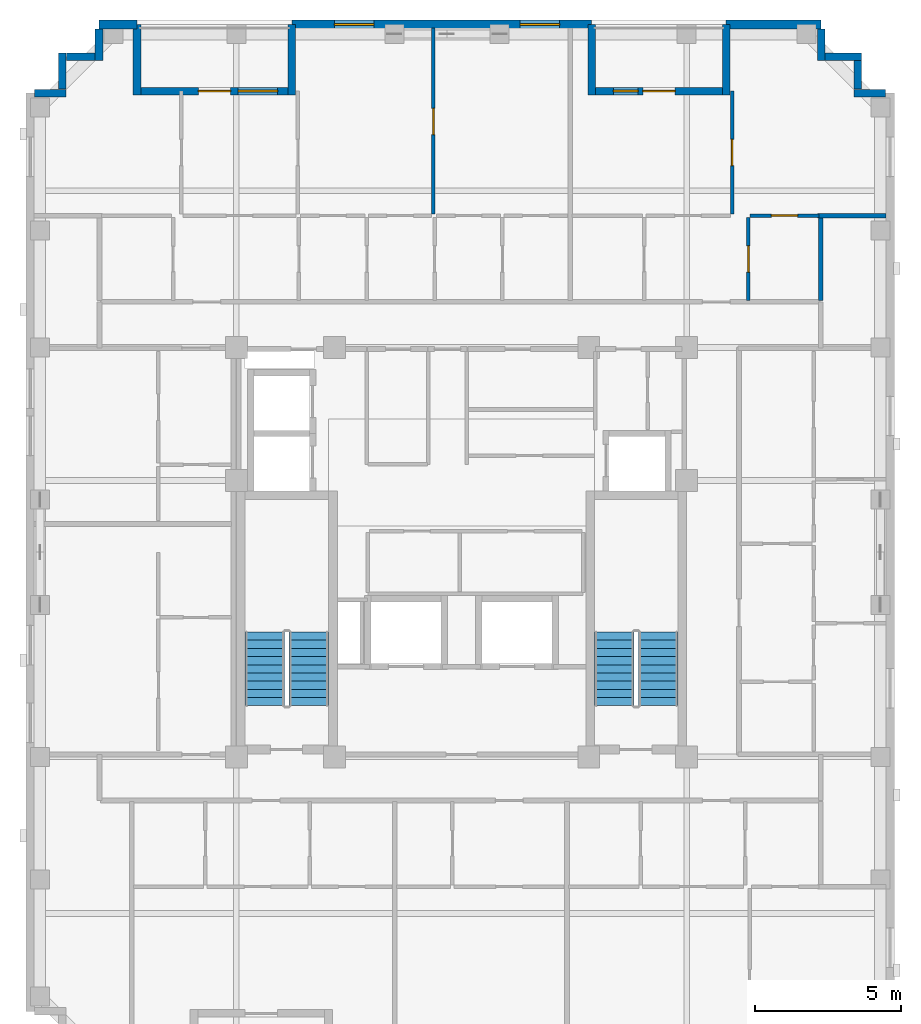
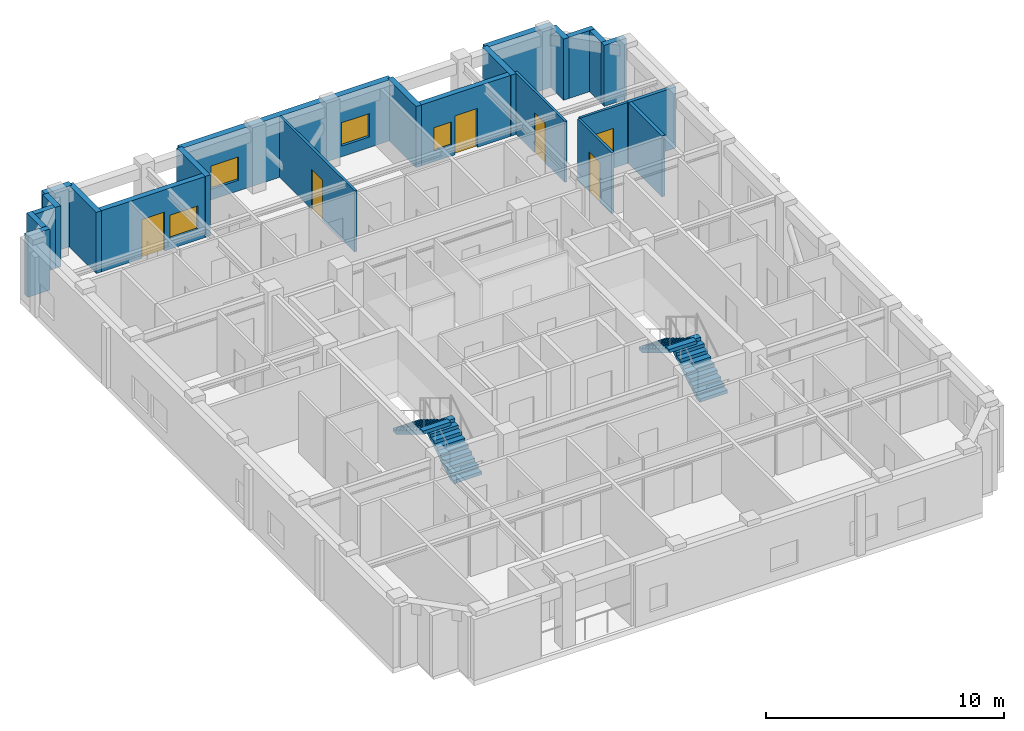
# One storey, part 7 of 11: 23 walls, 6 doors, 4 stair flights, 4 windows, 10 openings, 2 elements without a shape of their own.
"""IFC4 building model written with IfcOpenShell, lengths in metres."""

from ifc_helpers import new_model, si_unit, derived_unit, direction, frame, frame_2d, origin, place, context, subcontext, project, spatial, polyline, rectangle, outline, extrude, material, layer, layer_set, type_object, element, fill, aggregate, save


model = new_model("IFC4")

# Units and contexts
model_context = context("Model", 3, precision=1e-05, world=origin(), true_north=direction((0.0, 1.0)))
body_context = subcontext(model_context, "Body", "Model", "MODEL_VIEW")
ifc_project = project(units=[si_unit("LENGTHUNIT", "METRE"), si_unit("AREAUNIT", "SQUARE_METRE"), si_unit("VOLUMEUNIT", "CUBIC_METRE"), si_unit("PLANEANGLEUNIT", "RADIAN"), si_unit("MASSUNIT", "GRAM", prefix="KILO"), derived_unit("THERMALTRANSMITTANCEUNIT", [(si_unit("MASSUNIT", "GRAM", prefix="KILO"), 1), (si_unit("TIMEUNIT", "SECOND"), -3), (si_unit("THERMODYNAMICTEMPERATUREUNIT", "KELVIN"), -1)])], contexts=[model_context])

# Site, building, storey
site_placement = place(None, origin())
site = spatial("IfcSite", under=ifc_project, at=site_placement, CompositionType="ELEMENT")
building_placement = place(site_placement, origin())
building = spatial("IfcBuilding", under=site, at=building_placement, Name="Korrvale Station Residences", CompositionType="ELEMENT")
storey_placement = place(building_placement, frame((0.0, 0.0, 251.300048828125)))
storey = spatial("IfcBuildingStorey", under=building, at=storey_placement, Name="L73", CompositionType="ELEMENT", Elevation=251.300048828125)

# Wall
ifc_material_1 = material(Name="Precast concrete C45/55", Category="concrete")
ifc_layer_1 = layer(ifc_material_1, 0.260009765625, Name="Precast concrete C45/55")
ifc_layer_set_1 = layer_set([ifc_layer_1], Name="Precast concrete C45/55")
wall_type_1 = type_object("IfcWallType", Name="WAL-EXT-LOG260", PredefinedType="SOLIDWALL", material=ifc_layer_set_1)
wall_1_placement = place(storey_placement, frame((14.39990234375, 40.0400390625, 0.0), z_axis=(0.0, 0.0, 1.0), x_axis=(0.0, -1.0, 0.0)))
element("IfcWall", 1, at=wall_1_placement, inside=storey, type_object=wall_type_1, Name="L73 Recessed Loggia Wall BAL-L73-N2-L", PredefinedType="SOLIDWALL", context=body_context, shape_type="SweptSolid", body=[
    extrude(rectangle(XDim=2.400146484375, YDim=0.260009765625, at=frame_2d((1.2001953125, 0.0))), origin(), (0.0, 0.0, 1.0), 3.139892578125),
])

# Wall, openings, door, window
wall_2_placement = place(storey_placement, frame((14.533935546875, 37.77001953125, 0.0), z_axis=(0.0, 0.0, 1.0), x_axis=(1.0, 0.0, 0.0)))
wall_2 = element("IfcWall", 2, at=wall_2_placement, inside=storey, type_object=wall_type_1, Name="L73 Recessed Loggia Wall BAL-L73-N2-B", PredefinedType="SOLIDWALL", context=body_context, shape_type="SweptSolid", body=[
    extrude(rectangle(XDim=5.031982421875, YDim=0.260009765625, at=frame_2d((2.51611328125, 0.0))), origin(), (0.0, 0.0, 1.0), 3.139892578125),
])
opening_1_placement = place(wall_2_placement, frame((1.966064453125, 0.0, 0.0)))
opening_1 = element("IfcOpeningElement", 3, at=opening_1_placement, cuts=wall_2, Name="Opening BD-01", PredefinedType="OPENING", context=body_context, shape_type="SweptSolid", body=[
    extrude(rectangle(XDim=1.10009765625, YDim=2.0, at=frame_2d((0.550048828125, 1.0))), frame((0.0, 0.14013671875, 0.0), z_axis=(0.0, -1.0, 0.0), x_axis=(1.0, 0.0, 0.0)), (0.0, 0.0, 1.0), 0.280029296875),
])
opening_2_placement = place(wall_2_placement, frame((3.325927734375, 0.0, 0.550048828125)))
opening_2 = element("IfcOpeningElement", 4, at=opening_2_placement, cuts=wall_2, Name="Opening W-10", PredefinedType="OPENING", context=body_context, shape_type="SweptSolid", body=[
    extrude(rectangle(XDim=1.35009765625, YDim=1.199951171875, at=frame_2d((0.675048828125, 0.60009765625))), frame((0.0, 0.14013671875, 0.0), z_axis=(0.0, -1.0, 0.0), x_axis=(1.0, 0.0, 0.0)), (0.0, 0.0, 1.0), 0.280029296875),
])
ifc_material_2 = material(Name="Exterior thermally broken aluminium glazed balcony door", Category="aluminium")
door_type_1 = type_object("IfcDoorType", Name="DR-EXT-BAL", OperationType="NOTDEFINED", PredefinedType="DOOR", material=ifc_material_2)
door_1_placement = place(opening_1_placement, origin())
door_1 = element("IfcDoor", 5, at=door_1_placement, inside=storey, type_object=door_type_1, Name="L73 Loggia Balcony Door BAL-L73-N2", OperationType="SINGLE_SWING_RIGHT", OverallHeight=2.0, OverallWidth=1.10009765625, PredefinedType="DOOR", context=body_context, shape_type="SweptSolid", body=[
    extrude(rectangle(XDim=1.10009765625, YDim=2.0, at=frame_2d((0.550048828125, 1.0))), frame((0.0, 0.02490234375, 0.0), z_axis=(0.0, -1.0, 0.0), x_axis=(1.0, 0.0, 0.0)), (0.0, 0.0, 1.0), 0.050048828125),
])
fill(opening_1, door_1)
ifc_material_3 = material(Name="Thermally broken aluminium frame with triple low-e glazing", Category="aluminium")
window_type_1 = type_object("IfcWindowType", Name="WIN-W10", PartitioningType="SINGLE_PANEL", PredefinedType="WINDOW", material=ifc_material_3)
window_1_placement = place(opening_2_placement, origin())
window_1 = element("IfcWindow", 6, at=window_1_placement, inside=storey, type_object=window_type_1, Name="L73 Punched Window 07", OverallHeight=1.199951171875, OverallWidth=1.35009765625, PartitioningType="SINGLE_PANEL", PredefinedType="WINDOW", context=body_context, shape_type="SweptSolid", body=[
    extrude(rectangle(XDim=1.35009765625, YDim=1.199951171875, at=frame_2d((0.675048828125, 0.60009765625))), frame((0.0, 0.030029296875, 0.0), z_axis=(0.0, -1.0, 0.0), x_axis=(1.0, 0.0, 0.0)), (0.0, 0.0, 1.0), 0.06005859375),
])
fill(opening_2, window_1)

# Walls
for number, where, z_axis, x_axis, name in (
    (7, (19.699951171875, 37.639892578125, 0.0), (0.0, 0.0, 1.0), (0.0, 1.0, 0.0), "L73 Recessed Loggia Wall BAL-L73-N2-R"),
    (8, (29.949951171875, 40.0400390625, 0.0), (0.0, 0.0, 1.0), (0.0, -1.0, 0.0), "L73 Recessed Loggia Wall BAL-L73-N1-L"),
):
    element("IfcWall", number, at=place(storey_placement, frame(where, z_axis=z_axis, x_axis=x_axis)), inside=storey, type_object=wall_type_1, Name=name, PredefinedType="SOLIDWALL", context=body_context, shape_type="SweptSolid", body=[
        extrude(rectangle(XDim=2.400146484375, YDim=0.260009765625, at=frame_2d((1.2001953125, 0.0))), origin(), (0.0, 0.0, 1.0), 3.139892578125),
    ])

# Wall, openings, door, window
wall_3_placement = place(storey_placement, frame((30.083984375, 37.77001953125, 0.0), z_axis=(0.0, 0.0, 1.0), x_axis=(1.0, 0.0, 0.0)))
wall_3 = element("IfcWall", 9, at=wall_3_placement, inside=storey, type_object=wall_type_1, Name="L73 Recessed Loggia Wall BAL-L73-N1-B", PredefinedType="SOLIDWALL", context=body_context, shape_type="SweptSolid", body=[
    extrude(rectangle(XDim=4.33203125, YDim=0.260009765625, at=frame_2d((2.166015625, 0.0))), origin(), (0.0, 0.0, 1.0), 3.139892578125),
])
opening_3_placement = place(wall_3_placement, frame((1.615966796875, 0.0, 0.0)))
opening_3 = element("IfcOpeningElement", 10, at=opening_3_placement, cuts=wall_3, Name="Opening BD-01", PredefinedType="OPENING", context=body_context, shape_type="SweptSolid", body=[
    extrude(rectangle(XDim=1.10009765625, YDim=2.0, at=frame_2d((0.550048828125, 1.0))), frame((0.0, 0.14013671875, 0.0), z_axis=(0.0, -1.0, 0.0), x_axis=(1.0, 0.0, 0.0)), (0.0, 0.0, 1.0), 0.280029296875),
])
opening_4_placement = place(wall_3_placement, frame((0.60595703125, 0.0, 0.550048828125)))
opening_4 = element("IfcOpeningElement", 11, at=opening_4_placement, cuts=wall_3, Name="Opening W-11", PredefinedType="OPENING", context=body_context, shape_type="SweptSolid", body=[
    extrude(rectangle(XDim=0.85009765625, YDim=1.199951171875, at=frame_2d((0.425048828125, 0.60009765625))), frame((0.0, 0.14013671875, 0.0), z_axis=(0.0, -1.0, 0.0), x_axis=(1.0, 0.0, 0.0)), (0.0, 0.0, 1.0), 0.280029296875),
])
door_2_placement = place(opening_3_placement, origin())
door_2 = element("IfcDoor", 12, at=door_2_placement, inside=storey, type_object=door_type_1, Name="L73 Loggia Balcony Door BAL-L73-N1", OperationType="SINGLE_SWING_LEFT", OverallHeight=2.0, OverallWidth=1.10009765625, PredefinedType="DOOR", context=body_context, shape_type="SweptSolid", body=[
    extrude(rectangle(XDim=1.10009765625, YDim=2.0, at=frame_2d((0.550048828125, 1.0))), frame((0.0, 0.02490234375, 0.0), z_axis=(0.0, -1.0, 0.0), x_axis=(1.0, 0.0, 0.0)), (0.0, 0.0, 1.0), 0.050048828125),
])
fill(opening_3, door_2)
window_type_2 = type_object("IfcWindowType", Name="WIN-W11", PartitioningType="SINGLE_PANEL", PredefinedType="WINDOW", material=ifc_material_3)
window_2_placement = place(opening_4_placement, origin())
window_2 = element("IfcWindow", 13, at=window_2_placement, inside=storey, type_object=window_type_2, Name="L73 Punched Window 10", OverallHeight=1.199951171875, OverallWidth=0.85009765625, PartitioningType="SINGLE_PANEL", PredefinedType="WINDOW", context=body_context, shape_type="SweptSolid", body=[
    extrude(rectangle(XDim=0.85009765625, YDim=1.199951171875, at=frame_2d((0.425048828125, 0.60009765625))), frame((0.0, 0.030029296875, 0.0), z_axis=(0.0, -1.0, 0.0), x_axis=(1.0, 0.0, 0.0)), (0.0, 0.0, 1.0), 0.06005859375),
])
fill(opening_4, window_2)

# Walls
wall_4_placement = place(storey_placement, frame((34.550048828125, 37.639892578125, 0.0), z_axis=(0.0, 0.0, 1.0), x_axis=(0.0, 1.0, 0.0)))
element("IfcWall", 14, at=wall_4_placement, inside=storey, type_object=wall_type_1, Name="L73 Recessed Loggia Wall BAL-L73-N1-R", PredefinedType="SOLIDWALL", context=body_context, shape_type="SweptSolid", body=[
    extrude(rectangle(XDim=2.400146484375, YDim=0.260009765625, at=frame_2d((1.2001953125, 0.0))), origin(), (0.0, 0.0, 1.0), 3.139892578125),
])
wall_5_placement = place(storey_placement, frame((10.902099609375, 37.699951171875, 0.0), z_axis=(0.0, 0.0, 1.0), x_axis=(1.0, 0.0, 0.0)))
element("IfcWall", 15, at=wall_5_placement, inside=storey, type_object=wall_type_1, Name="L73 Serrated Corner Precast Step NW-1", PredefinedType="SOLIDWALL", context=body_context, shape_type="SweptSolid", body=[
    extrude(rectangle(XDim=1.077880859375, YDim=0.260009765625, at=frame_2d((0.5390625, 0.0))), origin(), (0.0, 0.0, 1.0), 3.139892578125),
])
wall_6_placement = place(storey_placement, frame((11.85009765625, 37.83203125, 0.0), z_axis=(0.0, 0.0, 1.0), x_axis=(0.0, 1.0, 0.0)))
element("IfcWall", 16, at=wall_6_placement, inside=storey, type_object=wall_type_1, Name="L73 Serrated Corner Precast Step NW-2", PredefinedType="SOLIDWALL", context=body_context, shape_type="SweptSolid", body=[
    extrude(rectangle(XDim=1.248046875, YDim=0.260009765625, at=frame_2d((0.6240234375, 0.0))), origin(), (0.0, 0.0, 1.0), 3.139892578125),
])
wall_7_placement = place(storey_placement, frame((11.98193359375, 38.949951171875, 0.0), z_axis=(0.0, 0.0, 1.0), x_axis=(1.0, 0.0, 0.0)))
element("IfcWall", 17, at=wall_7_placement, inside=storey, type_object=wall_type_1, Name="L73 Serrated Corner Precast Step NW-3", PredefinedType="SOLIDWALL", context=body_context, shape_type="SweptSolid", body=[
    extrude(rectangle(XDim=0.986083984375, YDim=0.260009765625, at=frame_2d((0.4931640625, 0.0))), origin(), (0.0, 0.0, 1.0), 3.139892578125),
])
for number, where, z_axis, x_axis, name in (
    (18, (13.10009765625, 38.820068359375, 0.0), (0.0, 0.0, 1.0), (0.0, 1.0, 0.0), "L73 Serrated Corner Precast Step NW-4"),
    (19, (37.800048828125, 39.89794921875, 0.0), (0.0, 0.0, 1.0), (0.0, -1.0, 0.0), "L73 Serrated Corner Precast Step NE-1"),
):
    element("IfcWall", number, at=place(storey_placement, frame(where, z_axis=z_axis, x_axis=x_axis)), inside=storey, type_object=wall_type_1, Name=name, PredefinedType="SOLIDWALL", context=body_context, shape_type="SweptSolid", body=[
        extrude(rectangle(XDim=1.077880859375, YDim=0.260009765625, at=frame_2d((0.5390625, 0.0))), origin(), (0.0, 0.0, 1.0), 3.139892578125),
    ])
wall_8_placement = place(storey_placement, frame((37.931884765625, 38.949951171875, 0.0), z_axis=(0.0, 0.0, 1.0), x_axis=(1.0, 0.0, 0.0)))
element("IfcWall", 20, at=wall_8_placement, inside=storey, type_object=wall_type_1, Name="L73 Serrated Corner Precast Step NE-2", PredefinedType="SOLIDWALL", context=body_context, shape_type="SweptSolid", body=[
    extrude(rectangle(XDim=1.248046875, YDim=0.260009765625, at=frame_2d((0.6240234375, 0.0))), origin(), (0.0, 0.0, 1.0), 3.139892578125),
])
wall_9_placement = place(storey_placement, frame((39.050048828125, 38.818115234375, 0.0), z_axis=(0.0, 0.0, 1.0), x_axis=(0.0, -1.0, 0.0)))
element("IfcWall", 21, at=wall_9_placement, inside=storey, type_object=wall_type_1, Name="L73 Serrated Corner Precast Step NE-3", PredefinedType="SOLIDWALL", context=body_context, shape_type="SweptSolid", body=[
    extrude(rectangle(XDim=0.986083984375, YDim=0.260009765625, at=frame_2d((0.4931640625, 0.0))), origin(), (0.0, 0.0, 1.0), 3.139892578125),
])
wall_10_placement = place(storey_placement, frame((38.919921875, 37.699951171875, 0.0), z_axis=(0.0, 0.0, 1.0), x_axis=(1.0, 0.0, 0.0)))
element("IfcWall", 22, at=wall_10_placement, inside=storey, type_object=wall_type_1, Name="L73 Serrated Corner Precast Step NE-4", PredefinedType="SOLIDWALL", context=body_context, shape_type="SweptSolid", body=[
    extrude(rectangle(XDim=1.078125, YDim=0.260009765625, at=frame_2d((0.5390625, 0.0))), origin(), (0.0, 0.0, 1.0), 3.139892578125),
])
ifc_layer_2 = layer(ifc_material_1, 0.300048828125, Name="Precast concrete C45/55")
ifc_layer_set_2 = layer_set([ifc_layer_2], Name="Precast concrete C45/55")
wall_type_2 = type_object("IfcWallType", Name="WAL-EXT-PC300", PredefinedType="SOLIDWALL", material=ifc_layer_set_2)
wall_11_placement = place(storey_placement, frame((13.10009765625, 40.050048828125, 0.0), z_axis=(0.0, 0.0, 1.0), x_axis=(1.0, 0.0, 0.0)))
element("IfcWall", 23, at=wall_11_placement, inside=storey, type_object=wall_type_2, Name="L73 North Exterior Precast Wall 1", PredefinedType="SOLIDWALL", context=body_context, shape_type="SweptSolid", body=[
    extrude(rectangle(XDim=1.2998046875, YDim=0.300048828125, at=frame_2d((0.64990234375, 0.0))), origin(), (0.0, 0.0, 1.0), 3.139892578125),
])

# Wall, openings, windows
wall_12_placement = place(storey_placement, frame((19.699951171875, 40.050048828125, 0.0), z_axis=(0.0, 0.0, 1.0), x_axis=(1.0, 0.0, 0.0)))
wall_12 = element("IfcWall", 24, at=wall_12_placement, inside=storey, type_object=wall_type_2, Name="L73 North Exterior Precast Wall 2", PredefinedType="SOLIDWALL", context=body_context, shape_type="SweptSolid", body=[
    extrude(rectangle(XDim=10.25, YDim=0.300048828125, at=frame_2d((5.125, 0.0))), origin(), (0.0, 0.0, 1.0), 3.139892578125),
])
opening_5_placement = place(wall_12_placement, frame((1.449951171875, 0.0, 0.550048828125)))
opening_5 = element("IfcOpeningElement", 25, at=opening_5_placement, cuts=wall_12, Name="Opening W-10", PredefinedType="OPENING", context=body_context, shape_type="SweptSolid", body=[
    extrude(rectangle(XDim=1.35009765625, YDim=1.199951171875, at=frame_2d((0.675048828125, 0.60009765625))), frame((0.0, 0.16015625, 0.0), z_axis=(0.0, -1.0, 0.0), x_axis=(1.0, 0.0, 0.0)), (0.0, 0.0, 1.0), 0.320068359375),
])
opening_6_placement = place(wall_12_placement, frame((7.800048828125, 0.0, 0.550048828125)))
opening_6 = element("IfcOpeningElement", 26, at=opening_6_placement, cuts=wall_12, Name="Opening W-10", PredefinedType="OPENING", context=body_context, shape_type="SweptSolid", body=[
    extrude(rectangle(XDim=1.35009765625, YDim=1.199951171875, at=frame_2d((0.675048828125, 0.60009765625))), frame((0.0, 0.16015625, 0.0), z_axis=(0.0, -1.0, 0.0), x_axis=(1.0, 0.0, 0.0)), (0.0, 0.0, 1.0), 0.320068359375),
])
window_3_placement = place(opening_5_placement, origin())
window_3 = element("IfcWindow", 27, at=window_3_placement, inside=storey, type_object=window_type_1, Name="L73 Punched Window 08", OverallHeight=1.199951171875, OverallWidth=1.35009765625, PartitioningType="SINGLE_PANEL", PredefinedType="WINDOW", context=body_context, shape_type="SweptSolid", body=[
    extrude(rectangle(XDim=1.35009765625, YDim=1.199951171875, at=frame_2d((0.675048828125, 0.60009765625))), frame((0.0, 0.030029296875, 0.0), z_axis=(0.0, -1.0, 0.0), x_axis=(1.0, 0.0, 0.0)), (0.0, 0.0, 1.0), 0.06005859375),
])
fill(opening_5, window_3)
window_4_placement = place(opening_6_placement, origin())
window_4 = element("IfcWindow", 28, at=window_4_placement, inside=storey, type_object=window_type_1, Name="L73 Punched Window 09", OverallHeight=1.199951171875, OverallWidth=1.35009765625, PartitioningType="SINGLE_PANEL", PredefinedType="WINDOW", context=body_context, shape_type="SweptSolid", body=[
    extrude(rectangle(XDim=1.35009765625, YDim=1.199951171875, at=frame_2d((0.675048828125, 0.60009765625))), frame((0.0, 0.030029296875, 0.0), z_axis=(0.0, -1.0, 0.0), x_axis=(1.0, 0.0, 0.0)), (0.0, 0.0, 1.0), 0.06005859375),
])
fill(opening_6, window_4)

# Wall
wall_13_placement = place(storey_placement, frame((34.550048828125, 40.050048828125, 0.0), z_axis=(0.0, 0.0, 1.0), x_axis=(1.0, 0.0, 0.0)))
element("IfcWall", 29, at=wall_13_placement, inside=storey, type_object=wall_type_2, Name="L73 North Exterior Precast Wall 3", PredefinedType="SOLIDWALL", context=body_context, shape_type="SweptSolid", body=[
    extrude(rectangle(XDim=3.25, YDim=0.300048828125, at=frame_2d((1.625, 0.0))), origin(), (0.0, 0.0, 1.0), 3.139892578125),
])

# Wall, opening, door
ifc_material_4 = material(Name="Acoustic steel-stud gypsum board partition", Category="steel")
ifc_layer_3 = layer(ifc_material_4, 0.1201171875, Name="Acoustic steel-stud gypsum board partition")
ifc_layer_set_3 = layer_set([ifc_layer_3], Name="Acoustic steel-stud gypsum board partition")
wall_type_3 = type_object("IfcWallType", Name="WAL-PART-125", PredefinedType="PARTITIONING", material=ifc_layer_set_3)
wall_14_placement = place(storey_placement, frame((24.5400390625, 33.570068359375, 0.0), z_axis=(0.0, 0.0, 1.0), x_axis=(0.0, 1.0, 0.0)))
wall_14 = element("IfcWall", 30, at=wall_14_placement, inside=storey, type_object=wall_type_3, Name="L73 Suite Partition U04-V89", PredefinedType="PARTITIONING", context=body_context, shape_type="SweptSolid", body=[
    extrude(rectangle(XDim=6.349853515625, YDim=0.1201171875, at=frame_2d((3.1748046875, 0.0))), origin(), (0.0, 0.0, 1.0), 3.139892578125),
])
opening_7_placement = place(wall_14_placement, frame((2.7099609375, 0.0, 0.0)))
opening_7 = element("IfcOpeningElement", 31, at=opening_7_placement, cuts=wall_14, Name="Opening DI-900", PredefinedType="OPENING", context=body_context, shape_type="SweptSolid", body=[
    extrude(rectangle(XDim=0.89990234375, YDim=2.050048828125, at=frame_2d((0.449951171875, 1.02490234375))), frame((0.0, 0.070068359375, 0.0), z_axis=(0.0, -1.0, 0.0), x_axis=(1.0, 0.0, 0.0)), (0.0, 0.0, 1.0), 0.14013671875),
])
ifc_material_5 = material(Name="Painted solid-core timber interior room door", Category="wood")
door_type_2 = type_object("IfcDoorType", Name="DR-INT-900", OperationType="NOTDEFINED", PredefinedType="DOOR", material=ifc_material_5)
door_3_placement = place(opening_7_placement, origin())
door_3 = element("IfcDoor", 32, at=door_3_placement, inside=storey, type_object=door_type_2, Name="L73 Apartment 2BR L73-U04 Bedroom 1 Door", OperationType="SINGLE_SWING_RIGHT", OverallHeight=2.050048828125, OverallWidth=0.89990234375, PredefinedType="DOOR", context=body_context, shape_type="SweptSolid", body=[
    extrude(rectangle(XDim=0.89990234375, YDim=2.050048828125, at=frame_2d((0.449951171875, 1.02490234375))), frame((0.0, 0.02490234375, 0.0), z_axis=(0.0, -1.0, 0.0), x_axis=(1.0, 0.0, 0.0)), (0.0, 0.0, 1.0), 0.050048828125),
])
fill(opening_7, door_3)

wall_15_placement = place(storey_placement, frame((35.31005859375, 30.60009765625, 0.0), z_axis=(0.0, 0.0, 1.0), x_axis=(0.0, 1.0, 0.0)))
wall_15 = element("IfcWall", 33, at=wall_15_placement, inside=storey, type_object=wall_type_3, Name="L73 Suite Partition U05-V12", PredefinedType="PARTITIONING", context=body_context, shape_type="SweptSolid", body=[
    extrude(rectangle(XDim=2.849853515625, YDim=0.1201171875, at=frame_2d((1.4248046875, 0.0))), origin(), (0.0, 0.0, 1.0), 3.139892578125),
])
opening_8_placement = place(wall_15_placement, frame((0.97509765625, 0.0, 0.0)))
opening_8 = element("IfcOpeningElement", 34, at=opening_8_placement, cuts=wall_15, Name="Opening DI-900", PredefinedType="OPENING", context=body_context, shape_type="SweptSolid", body=[
    extrude(rectangle(XDim=0.89990234375, YDim=2.050048828125, at=frame_2d((0.449951171875, 1.02490234375))), frame((0.0, 0.070068359375, 0.0), z_axis=(0.0, -1.0, 0.0), x_axis=(1.0, 0.0, 0.0)), (0.0, 0.0, 1.0), 0.14013671875),
])
door_4_placement = place(opening_8_placement, origin())
door_4 = element("IfcDoor", 35, at=door_4_placement, inside=storey, type_object=door_type_2, Name="L73 Apartment 1BR L73-U05 Kitchen Door", OperationType="SINGLE_SWING_RIGHT", OverallHeight=2.050048828125, OverallWidth=0.89990234375, PredefinedType="DOOR", context=body_context, shape_type="SweptSolid", body=[
    extrude(rectangle(XDim=0.89990234375, YDim=2.050048828125, at=frame_2d((0.449951171875, 1.02490234375))), frame((0.0, 0.02490234375, 0.0), z_axis=(0.0, -1.0, 0.0), x_axis=(1.0, 0.0, 0.0)), (0.0, 0.0, 1.0), 0.050048828125),
])
fill(opening_8, door_4)

wall_16_placement = place(storey_placement, frame((35.3701171875, 33.510009765625, 0.0), z_axis=(0.0, 0.0, 1.0), x_axis=(1.0, 0.0, 0.0)))
wall_16 = element("IfcWall", 36, at=wall_16_placement, inside=storey, type_object=wall_type_3, Name="L73 Suite Partition U05-H24", PredefinedType="PARTITIONING", context=body_context, shape_type="SweptSolid", body=[
    extrude(rectangle(XDim=2.349853515625, YDim=0.1201171875, at=frame_2d((1.1748046875, 0.0))), origin(), (0.0, 0.0, 1.0), 3.139892578125),
])
opening_9_placement = place(wall_16_placement, frame((0.72509765625, 0.0, 0.0)))
opening_9 = element("IfcOpeningElement", 37, at=opening_9_placement, cuts=wall_16, Name="Opening DI-900", PredefinedType="OPENING", context=body_context, shape_type="SweptSolid", body=[
    extrude(rectangle(XDim=0.89990234375, YDim=2.050048828125, at=frame_2d((0.449951171875, 1.02490234375))), frame((0.0, 0.070068359375, 0.0), z_axis=(0.0, -1.0, 0.0), x_axis=(1.0, 0.0, 0.0)), (0.0, 0.0, 1.0), 0.14013671875),
])
door_5_placement = place(opening_9_placement, origin())
door_5 = element("IfcDoor", 38, at=door_5_placement, inside=storey, type_object=door_type_2, Name="L73 Apartment 1BR L73-U05 Utility and Laundry Room Door", OperationType="SINGLE_SWING_RIGHT", OverallHeight=2.050048828125, OverallWidth=0.89990234375, PredefinedType="DOOR", context=body_context, shape_type="SweptSolid", body=[
    extrude(rectangle(XDim=0.89990234375, YDim=2.050048828125, at=frame_2d((0.449951171875, 1.02490234375))), frame((0.0, 0.02490234375, 0.0), z_axis=(0.0, -1.0, 0.0), x_axis=(1.0, 0.0, 0.0)), (0.0, 0.0, 1.0), 0.050048828125),
])
fill(opening_9, door_5)

wall_17_placement = place(storey_placement, frame((34.75, 33.570068359375, 0.0), z_axis=(0.0, 0.0, 1.0), x_axis=(0.0, 1.0, 0.0)))
wall_17 = element("IfcWall", 39, at=wall_17_placement, inside=storey, type_object=wall_type_3, Name="L73 Suite Partition U05-V34", PredefinedType="PARTITIONING", context=body_context, shape_type="SweptSolid", body=[
    extrude(rectangle(XDim=4.199951171875, YDim=0.1201171875, at=frame_2d((2.10009765625, 0.0))), origin(), (0.0, 0.0, 1.0), 3.139892578125),
])
opening_10_placement = place(wall_17_placement, frame((1.64990234375, 0.0, 0.0)))
opening_10 = element("IfcOpeningElement", 40, at=opening_10_placement, cuts=wall_17, Name="Opening DI-900", PredefinedType="OPENING", context=body_context, shape_type="SweptSolid", body=[
    extrude(rectangle(XDim=0.89990234375, YDim=2.050048828125, at=frame_2d((0.449951171875, 1.02490234375))), frame((0.0, 0.070068359375, 0.0), z_axis=(0.0, -1.0, 0.0), x_axis=(1.0, 0.0, 0.0)), (0.0, 0.0, 1.0), 0.14013671875),
])
door_6_placement = place(opening_10_placement, origin())
door_6 = element("IfcDoor", 41, at=door_6_placement, inside=storey, type_object=door_type_2, Name="L73 Apartment 1BR L73-U05 Living and Dining Room Door", OperationType="SINGLE_SWING_LEFT", OverallHeight=2.050048828125, OverallWidth=0.89990234375, PredefinedType="DOOR", context=body_context, shape_type="SweptSolid", body=[
    extrude(rectangle(XDim=0.89990234375, YDim=2.050048828125, at=frame_2d((0.449951171875, 1.02490234375))), frame((0.0, 0.02490234375, 0.0), z_axis=(0.0, -1.0, 0.0), x_axis=(1.0, 0.0, 0.0)), (0.0, 0.0, 1.0), 0.050048828125),
])
fill(opening_10, door_6)

# Walls
ifc_material_6 = material(Name="Fire-rated twin-stud gypsum and mineral wool shaftwall assembly", Category="gypsum")
ifc_layer_4 = layer(ifc_material_6, 0.159912109375, Name="Fire-rated twin-stud gypsum and mineral wool shaftwall assembly")
ifc_layer_set_4 = layer_set([ifc_layer_4], Name="Fire-rated twin-stud gypsum and mineral wool shaftwall assembly")
wall_type_4 = type_object("IfcWallType", Name="WAL-PART-200", PredefinedType="PARTITIONING", material=ifc_layer_set_4)
wall_18_placement = place(storey_placement, frame((37.679931640625, 33.510009765625, 0.0), z_axis=(0.0, 0.0, 1.0), x_axis=(1.0, 0.0, 0.0)))
element("IfcWall", 42, at=wall_18_placement, inside=storey, type_object=wall_type_4, Name="L73 Corner Step Wall U05-R", PredefinedType="PARTITIONING", context=body_context, shape_type="SweptSolid", body=[
    extrude(rectangle(XDim=2.340087890625, YDim=0.159912109375, at=frame_2d((1.169921875, 0.0))), origin(), (0.0, 0.0, 1.0), 3.139892578125),
])
wall_19_placement = place(storey_placement, frame((37.780029296875, 30.60009765625, 0.0), z_axis=(0.0, 0.0, 1.0), x_axis=(0.0, 1.0, 0.0)))
element("IfcWall", 43, at=wall_19_placement, inside=storey, type_object=wall_type_4, Name="L73 Corner Step Cheek U05-R", PredefinedType="PARTITIONING", context=body_context, shape_type="SweptSolid", body=[
    extrude(rectangle(XDim=2.909912109375, YDim=0.159912109375, at=frame_2d((1.455078125, 0.0))), origin(), (0.0, 0.0, 1.0), 3.139892578125),
])

# Stair, stair flights
ifc_material_7 = material(Name="Concrete C50/60", Category="concrete")
stair_type = type_object("IfcStairType", Name="STR-DL-1350-20R-1700", PredefinedType="HALF_TURN_STAIR", material=ifc_material_7)
stair_1_placement = place(storey_placement, origin())
stair_1 = element("IfcStair", 44, at=stair_1_placement, inside=storey, type_object=stair_type, Name="L73 Exit Stair 1", PredefinedType="HALF_TURN_STAIR")
stair_flight_type = type_object("IfcStairFlightType", Name="FLT-DL-1350-20R-1700", PredefinedType="STRAIGHT", material=ifc_material_7)
stair_flight_1_placement = place(storey_placement, frame((20.27490234375, 16.75, 0.0), z_axis=(0.0, 0.0, 1.0), x_axis=(0.0, 1.0, 0.0)))
stair_flight_1 = element("IfcStairFlight", 45, at=stair_flight_1_placement, type_object=stair_flight_type, Name="ST-1 flight 1", NumberOfRisers=10, NumberOfTreads=9, PredefinedType="STRAIGHT", RiserHeight=0.17, TreadLength=0.28, context=body_context, shape_type="SweptSolid", body=[
    extrude(outline(polyline([(0.0, 0.0), (0.0, 0.169921875), (0.280029296875, 0.169921875), (0.280029296875, 0.340087890625), (0.56005859375, 0.340087890625), (0.56005859375, 0.510009765625), (0.840087890625, 0.510009765625), (0.840087890625, 0.679931640625), (1.1201171875, 0.679931640625), (1.1201171875, 0.85009765625), (1.39990234375, 0.85009765625), (1.39990234375, 1.02001953125), (1.679931640625, 1.02001953125), (1.679931640625, 1.18994140625), (1.9599609375, 1.18994140625), (1.9599609375, 1.360107421875), (2.239990234375, 1.360107421875), (2.239990234375, 1.530029296875), (2.52001953125, 1.530029296875), (2.52001953125, 1.699951171875), (2.52001953125, 1.354736328125), (0.288818359375, 0.0), (0.0, 0.0)])), frame((0.0, 0.675048828125, 0.0), z_axis=(0.0, -1.0, 0.0), x_axis=(1.0, 0.0, 0.0)), (0.0, 0.0, 1.0), 1.35009765625),
])
stair_flight_2_placement = place(storey_placement, frame((18.77490234375, 19.27001953125, 1.699951171875), z_axis=(0.0, 0.0, 1.0), x_axis=(0.0, -1.0, 0.0)))
stair_flight_2 = element("IfcStairFlight", 46, at=stair_flight_2_placement, type_object=stair_flight_type, Name="ST-1 flight 2", NumberOfRisers=10, NumberOfTreads=9, PredefinedType="STRAIGHT", RiserHeight=0.17, TreadLength=0.28, context=body_context, shape_type="SweptSolid", body=[
    extrude(outline(polyline([(0.0, 0.0), (0.0, 0.169921875), (0.280029296875, 0.169921875), (0.280029296875, 0.340087890625), (0.56005859375, 0.340087890625), (0.56005859375, 0.510009765625), (0.840087890625, 0.510009765625), (0.840087890625, 0.679931640625), (1.1201171875, 0.679931640625), (1.1201171875, 0.85009765625), (1.39990234375, 0.85009765625), (1.39990234375, 1.02001953125), (1.679931640625, 1.02001953125), (1.679931640625, 1.18994140625), (1.9599609375, 1.18994140625), (1.9599609375, 1.360107421875), (2.239990234375, 1.360107421875), (2.239990234375, 1.530029296875), (2.52001953125, 1.530029296875), (2.52001953125, 1.699951171875), (2.52001953125, 1.354736328125), (0.288818359375, 0.0), (0.0, 0.0)])), frame((0.0, 0.675048828125, 0.0), z_axis=(0.0, -1.0, 0.0), x_axis=(1.0, 0.0, 0.0)), (0.0, 0.0, 1.0), 1.35009765625),
])
aggregate(stair_1, [stair_flight_1, stair_flight_2])

stair_2_placement = place(storey_placement, origin())
stair_2 = element("IfcStair", 47, at=stair_2_placement, inside=storey, type_object=stair_type, Name="L73 Exit Stair 2", PredefinedType="HALF_TURN_STAIR")
stair_flight_3_placement = place(storey_placement, frame((32.22509765625, 16.75, 0.0), z_axis=(0.0, 0.0, 1.0), x_axis=(0.0, 1.0, 0.0)))
stair_flight_3 = element("IfcStairFlight", 48, at=stair_flight_3_placement, type_object=stair_flight_type, Name="ST-2 flight 1", NumberOfRisers=10, NumberOfTreads=9, PredefinedType="STRAIGHT", RiserHeight=0.17, TreadLength=0.28, context=body_context, shape_type="SweptSolid", body=[
    extrude(outline(polyline([(0.0, 0.0), (0.0, 0.169921875), (0.280029296875, 0.169921875), (0.280029296875, 0.340087890625), (0.56005859375, 0.340087890625), (0.56005859375, 0.510009765625), (0.840087890625, 0.510009765625), (0.840087890625, 0.679931640625), (1.1201171875, 0.679931640625), (1.1201171875, 0.85009765625), (1.39990234375, 0.85009765625), (1.39990234375, 1.02001953125), (1.679931640625, 1.02001953125), (1.679931640625, 1.18994140625), (1.9599609375, 1.18994140625), (1.9599609375, 1.360107421875), (2.239990234375, 1.360107421875), (2.239990234375, 1.530029296875), (2.52001953125, 1.530029296875), (2.52001953125, 1.699951171875), (2.52001953125, 1.354736328125), (0.288818359375, 0.0), (0.0, 0.0)])), frame((0.0, 0.675048828125, 0.0), z_axis=(0.0, -1.0, 0.0), x_axis=(1.0, 0.0, 0.0)), (0.0, 0.0, 1.0), 1.35009765625),
])
stair_flight_4_placement = place(storey_placement, frame((30.72509765625, 19.27001953125, 1.699951171875), z_axis=(0.0, 0.0, 1.0), x_axis=(0.0, -1.0, 0.0)))
stair_flight_4 = element("IfcStairFlight", 49, at=stair_flight_4_placement, type_object=stair_flight_type, Name="ST-2 flight 2", NumberOfRisers=10, NumberOfTreads=9, PredefinedType="STRAIGHT", RiserHeight=0.17, TreadLength=0.28, context=body_context, shape_type="SweptSolid", body=[
    extrude(outline(polyline([(0.0, 0.0), (0.0, 0.169921875), (0.280029296875, 0.169921875), (0.280029296875, 0.340087890625), (0.56005859375, 0.340087890625), (0.56005859375, 0.510009765625), (0.840087890625, 0.510009765625), (0.840087890625, 0.679931640625), (1.1201171875, 0.679931640625), (1.1201171875, 0.85009765625), (1.39990234375, 0.85009765625), (1.39990234375, 1.02001953125), (1.679931640625, 1.02001953125), (1.679931640625, 1.18994140625), (1.9599609375, 1.18994140625), (1.9599609375, 1.360107421875), (2.239990234375, 1.360107421875), (2.239990234375, 1.530029296875), (2.52001953125, 1.530029296875), (2.52001953125, 1.699951171875), (2.52001953125, 1.354736328125), (0.288818359375, 0.0), (0.0, 0.0)])), frame((0.0, 0.675048828125, 0.0), z_axis=(0.0, -1.0, 0.0), x_axis=(1.0, 0.0, 0.0)), (0.0, 0.0, 1.0), 1.35009765625),
])
aggregate(stair_2, [stair_flight_3, stair_flight_4])

save(model, "model.ifc")
